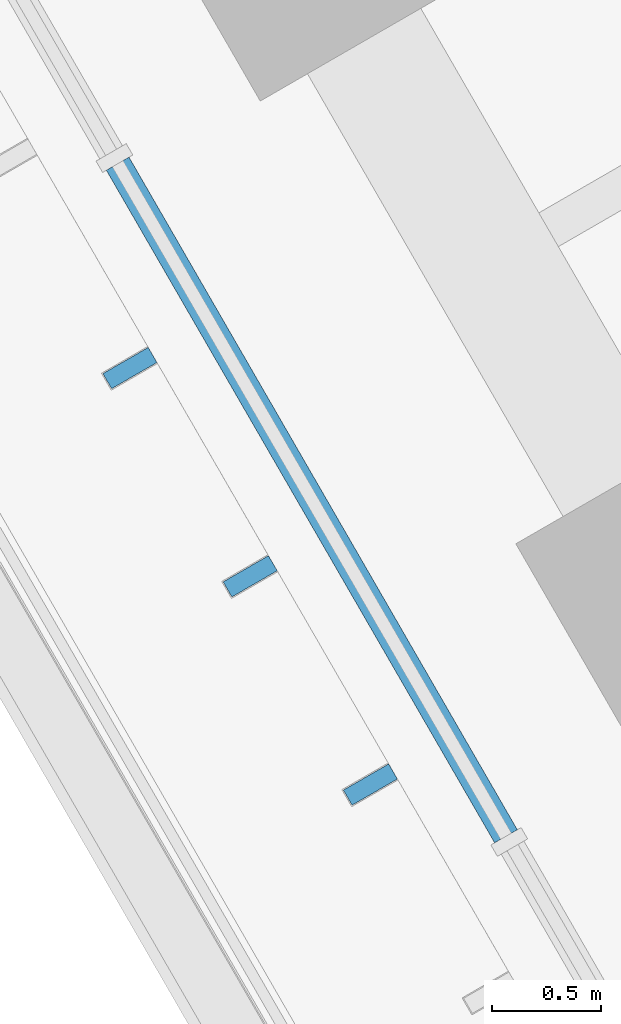
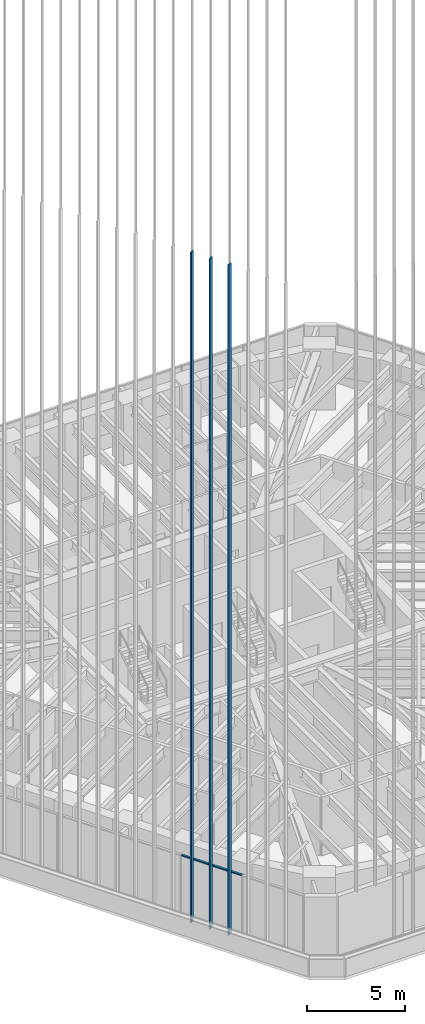
# One storey, part 2 of 127: 4 members, 1 element without a shape of its own.
"""IFC4 building model written with IfcOpenShell, lengths in metres."""

from ifc_helpers import new_model, si_unit, direction, frame, origin, origin_2d, place, context, subcontext, project, spatial, rectangle, extrude, material, material_profile, profile_set, type_object, element, aggregate, save


model = new_model("IFC4")

# Units and contexts
model_context = context("Model", 3, precision=1e-05, world=origin(), true_north=direction((0.0, 1.0)))
body_context = subcontext(model_context, "Body", "Model", "MODEL_VIEW")
ifc_project = project(units=[si_unit("LENGTHUNIT", "METRE"), si_unit("AREAUNIT", "SQUARE_METRE"), si_unit("VOLUMEUNIT", "CUBIC_METRE"), si_unit("PLANEANGLEUNIT", "RADIAN"), si_unit("MASSUNIT", "GRAM", prefix="KILO")], contexts=[model_context])

# Site, building, storey
site_placement = place(None, origin())
site = spatial("IfcSite", under=ifc_project, at=site_placement, CompositionType="ELEMENT")
building_placement = place(site_placement, origin())
building = spatial("IfcBuilding", under=site, at=building_placement, Name="Sandreach Pilgrim Tower", CompositionType="ELEMENT")
storey_placement = place(building_placement, frame((0.0, 0.0, 257.0)))
storey = spatial("IfcBuildingStorey", under=building, at=storey_placement, Name="L64", CompositionType="ELEMENT", Elevation=257.0)

# Curtain wall, members
ifc_material_1 = material(Name="Aluminium framed curtain wall", Category="aluminium")
curtain_wall_type = type_object("IfcCurtainWallType", Name="Suite tower curtain wall", PredefinedType="NOTDEFINED", material=ifc_material_1)
curtain_wall_placement = place(storey_placement, origin())
curtain_wall = element("IfcCurtainWall", 1, at=curtain_wall_placement, inside=storey, type_object=curtain_wall_type, Name="CW-4 L64 SW", PredefinedType="NOTDEFINED")
ifc_material_2 = material(Name="Aluminium extrusion", Category="aluminium")
ifc_material_profile_1 = material_profile(ifc_material_2, rectangle(XDim=0.1201171875, YDim=0.070068359375, at=origin_2d()), Name="CW-4T 120X70")
ifc_profile_set_1 = profile_set([ifc_material_profile_1], Name="Aluminium extrusion")
member_type_1 = type_object("IfcMemberType", Name="CW-4 transom", PredefinedType="USERDEFINED", material=ifc_profile_set_1)
member_1_placement = place(storey_placement, frame((-10.846923828125, -20.865478515625, 3.60498046875), z_axis=(-0.500009219579, 0.866020080793, 0.0), x_axis=(-0.866020080793, -0.500009219579, 0.0)))
member_1 = element("IfcMember", 2, at=member_1_placement, type_object=member_type_1, Name="CW-4 head transom 2", ObjectType="TRANSOM", PredefinedType="USERDEFINED", context=body_context, shape_type="SweptSolid", body=[
    extrude(rectangle(XDim=0.1201171875, YDim=0.070068359375, at=origin_2d()), origin(), (0.0, 0.0, 1.0), 3.56201171875),
])
ifc_material_3 = material(Name="Extruded terracotta on aluminium core", Category="masonry")
ifc_material_profile_2 = material_profile(ifc_material_3, rectangle(XDim=0.080078125, YDim=0.239990234375, at=origin_2d()), Name="TBW 80X240")
ifc_profile_set_2 = profile_set([ifc_material_profile_2], Name="Extruded terracotta on aluminium core")
member_type_2 = type_object("IfcMemberType", Name="Terracotta baguette west", PredefinedType="USERDEFINED", material=ifc_profile_set_2)
member_2_placement = place(storey_placement, frame((-11.468994140625, -20.628173828125, 0.0), z_axis=(0.0, 0.0, 1.0), x_axis=(-0.5, 0.866025403784, 0.0)))
member_2 = element("IfcMember", 3, at=member_2_placement, type_object=member_type_2, Name="Baguette Z4 SW04", ObjectType="BAGUETTE", PredefinedType="USERDEFINED", context=body_context, shape_type="SweptSolid", body=[
    extrude(rectangle(XDim=0.080078125, YDim=0.239990234375, at=origin_2d()), origin(), (0.0, 0.0, 1.0), 41.639892578125),
])
member_3_placement = place(storey_placement, frame((-12.020263671875, -19.673095703125, 0.0), z_axis=(0.0, 0.0, 1.0), x_axis=(-0.5, 0.866025403784, 0.0)))
member_3 = element("IfcMember", 4, at=member_3_placement, type_object=member_type_2, Name="Baguette Z4 SW05", ObjectType="BAGUETTE", PredefinedType="USERDEFINED", context=body_context, shape_type="SweptSolid", body=[
    extrude(rectangle(XDim=0.080078125, YDim=0.239990234375, at=origin_2d()), origin(), (0.0, 0.0, 1.0), 41.639892578125),
])
member_4_placement = place(storey_placement, frame((-12.57177734375, -18.718017578125, 0.0), z_axis=(0.0, 0.0, 1.0), x_axis=(-0.5, 0.866025403784, 0.0)))
member_4 = element("IfcMember", 5, at=member_4_placement, type_object=member_type_2, Name="Baguette Z4 SW06", ObjectType="BAGUETTE", PredefinedType="USERDEFINED", context=body_context, shape_type="SweptSolid", body=[
    extrude(rectangle(XDim=0.080078125, YDim=0.239990234375, at=origin_2d()), origin(), (0.0, 0.0, 1.0), 41.639892578125),
])
aggregate(curtain_wall, [member_1, member_2, member_3, member_4])

save(model, "model.ifc")
